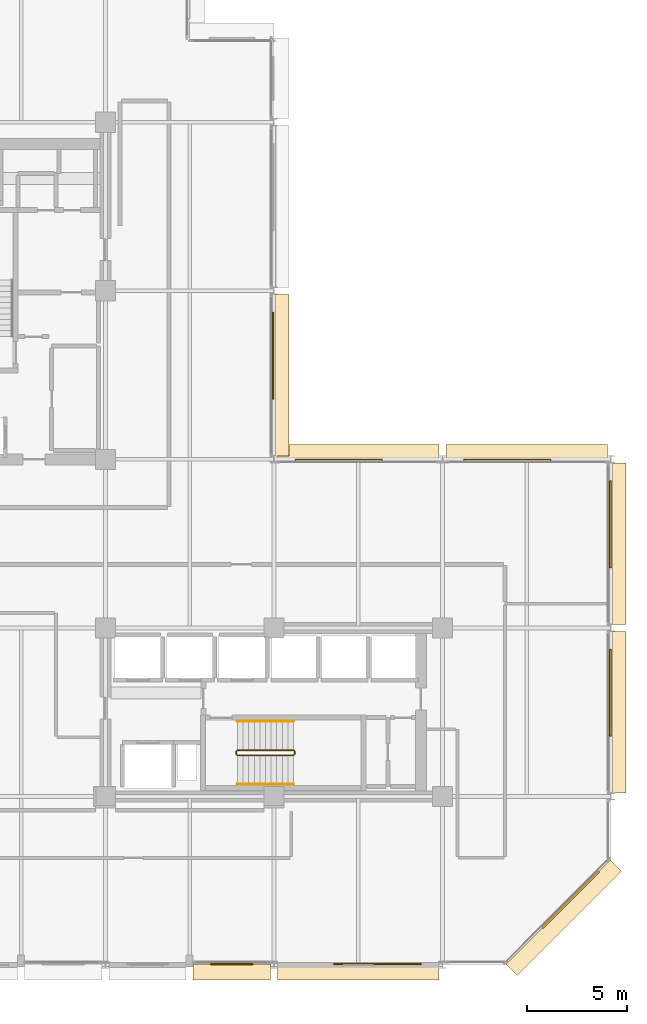
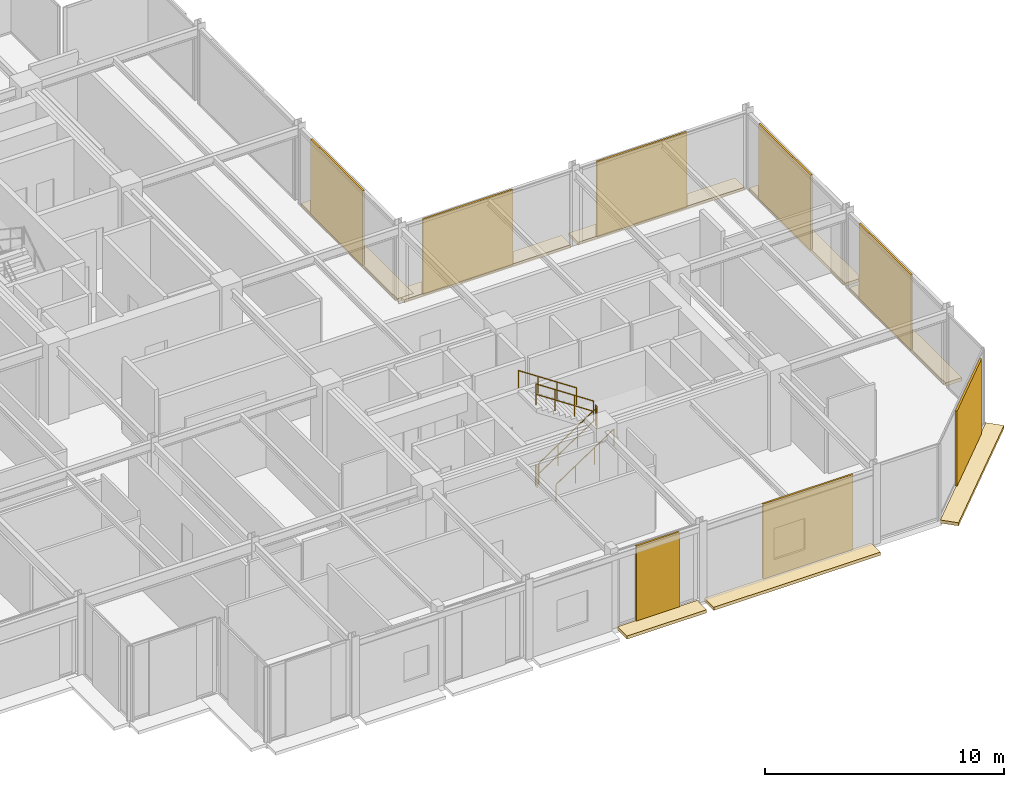
# One storey, part 28 of 29: 16 coverings, 6 railings.
"""IFC4 building model written with IfcOpenShell, lengths in metres."""

from ifc_helpers import new_model, si_unit, direction, frame, origin, origin_2d, place, context, subcontext, project, spatial, polyline, rectangle, circle, outline, extrude, material, layer, layer_set, type_object, element, save


model = new_model("IFC4")

# Units and contexts
model_context = context("Model", 3, precision=1e-05, world=origin(), true_north=direction((0.0, 1.0)))
body_context = subcontext(model_context, "Body", "Model", "MODEL_VIEW")
ifc_project = project(units=[si_unit("LENGTHUNIT", "METRE"), si_unit("AREAUNIT", "SQUARE_METRE"), si_unit("VOLUMEUNIT", "CUBIC_METRE"), si_unit("PLANEANGLEUNIT", "RADIAN"), si_unit("MASSUNIT", "GRAM", prefix="KILO")], contexts=[model_context])

# Site, building, storey
site_placement = place(None, origin())
site = spatial("IfcSite", under=ifc_project, at=site_placement, CompositionType="ELEMENT")
building_placement = place(site_placement, origin())
building = spatial("IfcBuilding", under=site, at=building_placement, Name="Nerrivon Quay Data Exchange", CompositionType="ELEMENT")
storey_placement = place(building_placement, frame((0.0, 0.0, 179.60009765625)))
storey = spatial("IfcBuildingStorey", under=building, at=storey_placement, Name="L42", CompositionType="ELEMENT", Elevation=179.60009765625)

# Coverings
ifc_material_1 = material(Name="Architectural terracotta ceramic", Category="masonry")
ifc_layer_1 = layer(ifc_material_1, 0.159912109375)
ifc_layer_set_1 = layer_set([ifc_layer_1], Name="Architectural terracotta ceramic")
covering_type_1 = type_object("IfcCoveringType", Name="COV-BLD-TERR", PredefinedType="CLADDING", material=ifc_layer_set_1)
covering_1_placement = place(storey_placement, frame((0.0, 0.0, -0.16015625)))
element("IfcCovering", 1, at=covering_1_placement, inside=storey, type_object=covering_type_1, Name="L42 Horizontal Terracotta SOLAR SCREEN Blade", PredefinedType="CLADDING", context=body_context, shape_type="SweptSolid", body=[
    extrude(outline(polyline([(25.159912109375, 33.425048828125), (25.159912109375, 25.375), (25.949951171875, 25.375), (25.949951171875, 33.425048828125), (25.159912109375, 33.425048828125)])), origin(), (0.0, 0.0, 1.0), 0.16015625),
])
covering_2_placement = place(storey_placement, frame((0.0, 0.0, -0.16015625)))
element("IfcCovering", 2, at=covering_2_placement, inside=storey, type_object=covering_type_1, Name="L42 Horizontal Terracotta SOLAR SCREEN Blade", PredefinedType="CLADDING", context=body_context, shape_type="SweptSolid", body=[
    extrude(outline(polyline([(25.375, 25.159912109375), (33.425048828125, 25.159912109375), (33.425048828125, 25.949951171875), (25.375, 25.949951171875), (25.375, 25.159912109375)])), origin(), (0.0, 0.0, 1.0), 0.16015625),
])
covering_3_placement = place(storey_placement, frame((0.0, 0.0, -0.16015625)))
element("IfcCovering", 3, at=covering_3_placement, inside=storey, type_object=covering_type_1, Name="L42 Horizontal Terracotta SOLAR SCREEN Blade", PredefinedType="CLADDING", context=body_context, shape_type="SweptSolid", body=[
    extrude(outline(polyline([(33.77490234375, 25.159912109375), (41.824951171875, 25.159912109375), (41.824951171875, 25.949951171875), (33.77490234375, 25.949951171875), (33.77490234375, 25.159912109375)])), origin(), (0.0, 0.0, 1.0), 0.16015625),
])
covering_4_placement = place(storey_placement, frame((0.0, 0.0, -0.16015625)))
element("IfcCovering", 4, at=covering_4_placement, inside=storey, type_object=covering_type_1, Name="L42 Horizontal Terracotta SOLAR SCREEN Blade", PredefinedType="CLADDING", context=body_context, shape_type="SweptSolid", body=[
    extrude(outline(polyline([(41.9599609375, 25.02490234375), (41.9599609375, 16.97509765625), (42.75, 16.97509765625), (42.75, 25.02490234375), (41.9599609375, 25.02490234375)])), origin(), (0.0, 0.0, 1.0), 0.16015625),
])
covering_5_placement = place(storey_placement, frame((0.0, 0.0, -0.16015625)))
element("IfcCovering", 5, at=covering_5_placement, inside=storey, type_object=covering_type_1, Name="L42 Horizontal Terracotta SOLAR SCREEN Blade", PredefinedType="CLADDING", context=body_context, shape_type="SweptSolid", body=[
    extrude(outline(polyline([(41.9599609375, 16.625), (41.9599609375, 8.574951171875), (42.75, 8.574951171875), (42.75, 16.625), (41.9599609375, 16.625)])), origin(), (0.0, 0.0, 1.0), 0.16015625),
])
covering_6_placement = place(storey_placement, frame((0.0, 0.0, -0.16015625)))
element("IfcCovering", 6, at=covering_6_placement, inside=storey, type_object=covering_type_1, Name="L42 Horizontal Terracotta SOLAR SCREEN Blade", PredefinedType="CLADDING", context=body_context, shape_type="SweptSolid", body=[
    extrude(outline(polyline([(41.9716796875, 5.228271484375), (36.771728515625, 0.0283203125), (37.330322265625, -0.5302734375), (42.5302734375, 4.669677734375), (41.9716796875, 5.228271484375)])), origin(), (0.0, 0.0, 1.0), 0.16015625),
])
covering_7_placement = place(storey_placement, frame((0.0, 0.0, -0.16015625)))
element("IfcCovering", 7, at=covering_7_placement, inside=storey, type_object=covering_type_1, Name="L42 Horizontal Terracotta SOLAR SCREEN Blade", PredefinedType="CLADDING", context=body_context, shape_type="SweptSolid", body=[
    extrude(outline(polyline([(33.425048828125, 0.0400390625), (25.375, 0.0400390625), (25.375, -0.75), (33.425048828125, -0.75), (33.425048828125, 0.0400390625)])), origin(), (0.0, 0.0, 1.0), 0.16015625),
])
covering_8_placement = place(storey_placement, frame((0.0, 0.0, -0.16015625)))
element("IfcCovering", 8, at=covering_8_placement, inside=storey, type_object=covering_type_1, Name="L42 Horizontal Terracotta SOLAR SCREEN Blade", PredefinedType="CLADDING", context=body_context, shape_type="SweptSolid", body=[
    extrude(outline(polyline([(25.02490234375, 0.0400390625), (21.175048828125, 0.0400390625), (21.175048828125, -0.75), (25.02490234375, -0.75), (25.02490234375, 0.0400390625)])), origin(), (0.0, 0.0, 1.0), 0.16015625),
])
ifc_layer_2 = layer(ifc_material_1, 0.090087890625)
ifc_layer_set_2 = layer_set([ifc_layer_2], Name="Architectural terracotta ceramic")
covering_type_2 = type_object("IfcCoveringType", Name="COV-SCR-TERR", PredefinedType="CLADDING", material=ifc_layer_set_2)
for number, where, z_axis, x_axis, name in (
    (9, (25.155029296875, 30.365966796875, 0.0), (0.0, 0.0, 1.0), (0.0, -1.0, 0.0), "L42 Perforated Terracotta SOLAR SCREEN Cassette"),
    (10, (28.43408203125, 25.155029296875, 0.0), (0.0, 0.0, 1.0), (1.0, 0.0, 0.0), "L42 Perforated Terracotta SOLAR SCREEN Cassette"),
    (11, (36.833984375, 25.155029296875, 0.0), (0.0, 0.0, 1.0), (1.0, 0.0, 0.0), "L42 Perforated Terracotta SOLAR SCREEN Cassette"),
    (12, (41.955078125, 21.966064453125, 0.0), (0.0, 0.0, 1.0), (0.0, -1.0, 0.0), "L42 Perforated Terracotta SOLAR SCREEN Cassette"),
    (13, (41.955078125, 13.56591796875, 0.0), (0.0, 0.0, 1.0), (0.0, -1.0, 0.0), "L42 Perforated Terracotta SOLAR SCREEN Cassette"),
):
    element("IfcCovering", number, at=place(storey_placement, frame(where, z_axis=z_axis, x_axis=x_axis)), inside=storey, type_object=covering_type_2, Name=name, PredefinedType="CLADDING", context=body_context, shape_type="SweptSolid", body=[
        extrude(rectangle(XDim=4.346923828125, YDim=0.090087890625, at=origin_2d()), origin(), (0.0, 0.0, 1.0), 3.824951171875),
    ])
covering_9_placement = place(storey_placement, frame((39.9921875, 3.255859375, 0.0), z_axis=(0.0, 0.0, 1.0), x_axis=(-0.707106781187, -0.707106781187, 0.0)))
element("IfcCovering", 14, at=covering_9_placement, inside=storey, type_object=covering_type_2, Name="L42 Perforated Terracotta SOLAR SCREEN Cassette", PredefinedType="CLADDING", context=body_context, shape_type="SweptSolid", body=[
    extrude(rectangle(XDim=3.970947265625, YDim=0.090087890625, at=origin_2d()), origin(), (0.0, 0.0, 1.0), 3.824951171875),
])
covering_10_placement = place(storey_placement, frame((30.365966796875, 0.044921875, 0.0), z_axis=(0.0, 0.0, 1.0), x_axis=(-1.0, 0.0, 0.0)))
element("IfcCovering", 15, at=covering_10_placement, inside=storey, type_object=covering_type_2, Name="L42 Perforated Terracotta SOLAR SCREEN Cassette", PredefinedType="CLADDING", context=body_context, shape_type="SweptSolid", body=[
    extrude(rectangle(XDim=4.346923828125, YDim=0.090087890625, at=origin_2d()), origin(), (0.0, 0.0, 1.0), 3.824951171875),
])
covering_11_placement = place(storey_placement, frame((23.10009765625, 0.044921875, 0.0), z_axis=(0.0, 0.0, 1.0), x_axis=(-1.0, 0.0, 0.0)))
element("IfcCovering", 16, at=covering_11_placement, inside=storey, type_object=covering_type_2, Name="L42 Perforated Terracotta SOLAR SCREEN Cassette", PredefinedType="CLADDING", context=body_context, shape_type="SweptSolid", body=[
    extrude(rectangle(XDim=2.0791015625, YDim=0.090087890625, at=origin_2d()), origin(), (0.0, 0.0, 1.0), 3.824951171875),
])

# Railings
ifc_material_2 = material(Name="Steel Grade C350L0 (350 MPa)", Category="steel")
railing_type_1 = type_object("IfcRailingType", Name="RAIL-HAND-HR1", PredefinedType="HANDRAIL", material=ifc_material_2)
railing_1_placement = place(storey_placement, frame((23.3798828125, 9.0, 0.186279296875)))
element("IfcRailing", 17, at=railing_1_placement, inside=storey, type_object=railing_type_1, Name="L42 ST02 stair handrail 1", PredefinedType="HANDRAIL", context=body_context, shape_type="SweptSolid", body=[
    extrude(circle(Radius=0.02392578125, at=origin_2d()), frame((0.0, 0.0, 0.8759765625), z_axis=(0.832485552168, 0.0, 0.554046753832), x_axis=(0.0, 1.0, 0.0)), (0.0, 0.0, 1.0), 3.363525390625),
    extrude(circle(Radius=0.02099609375, at=origin_2d()), origin(), (0.0, 0.0, 1.0), 0.851806640625),
    extrude(circle(Radius=0.02099609375, at=origin_2d()), frame((0.933349609375, 0.0, 0.62109375)), (0.0, 0.0, 1.0), 0.851806640625),
    extrude(circle(Radius=0.02099609375, at=origin_2d()), frame((1.86669921875, 0.0, 1.242431640625)), (0.0, 0.0, 1.0), 0.851806640625),
    extrude(circle(Radius=0.02099609375, at=origin_2d()), frame((2.800048828125, 0.0, 1.863525390625)), (0.0, 0.0, 1.0), 0.851806640625),
])
railing_2_placement = place(storey_placement, frame((26.179931640625, 12.14990234375, 2.236328125)))
element("IfcRailing", 18, at=railing_2_placement, inside=storey, type_object=railing_type_1, Name="L42 ST02 stair handrail 2", PredefinedType="HANDRAIL", context=body_context, shape_type="SweptSolid", body=[
    extrude(circle(Radius=0.02392578125, at=origin_2d()), frame((0.0, 0.0, 0.8759765625), z_axis=(-0.832485552168, 0.0, 0.554046753832), x_axis=(0.0, -1.0, 0.0)), (0.0, 0.0, 1.0), 3.363525390625),
    extrude(circle(Radius=0.02099609375, at=origin_2d()), origin(), (0.0, 0.0, 1.0), 0.851806640625),
    extrude(circle(Radius=0.02099609375, at=origin_2d()), frame((-0.933349609375, 0.0, 0.62109375)), (0.0, 0.0, 1.0), 0.851806640625),
    extrude(circle(Radius=0.02099609375, at=origin_2d()), frame((-1.86669921875, 0.0, 1.242431640625)), (0.0, 0.0, 1.0), 0.851806640625),
    extrude(circle(Radius=0.02099609375, at=origin_2d()), frame((-2.800048828125, 0.0, 1.863525390625)), (0.0, 0.0, 1.0), 0.851806640625),
])
railing_type_2 = type_object("IfcRailingType", Name="RAIL-STAIR-GR1", PredefinedType="BALUSTRADE", material=ifc_material_2)
railing_3_placement = place(storey_placement, frame((23.3798828125, 10.449951171875, 0.186279296875)))
element("IfcRailing", 19, at=railing_3_placement, inside=storey, type_object=railing_type_2, Name="L42 ST02 stair guard 1", PredefinedType="BALUSTRADE", context=body_context, shape_type="SweptSolid", body=[
    extrude(circle(Radius=0.02392578125, at=origin_2d()), frame((0.0, 0.0, 1.076171875), z_axis=(0.832485552168, 0.0, 0.554046753832), x_axis=(0.0, 1.0, 0.0)), (0.0, 0.0, 1.0), 3.363525390625),
    extrude(circle(Radius=0.02392578125, at=origin_2d()), frame((0.0, 0.0, 0.550048828125), z_axis=(0.832485552168, 0.0, 0.554046753832), x_axis=(0.0, 1.0, 0.0)), (0.0, 0.0, 1.0), 3.363525390625),
    extrude(circle(Radius=0.02099609375, at=origin_2d()), origin(), (0.0, 0.0, 1.0), 1.052001953125),
    extrude(circle(Radius=0.02099609375, at=origin_2d()), frame((0.933349609375, 0.0, 0.62109375)), (0.0, 0.0, 1.0), 1.052001953125),
    extrude(circle(Radius=0.02099609375, at=origin_2d()), frame((1.86669921875, 0.0, 1.242431640625)), (0.0, 0.0, 1.0), 1.052001953125),
    extrude(circle(Radius=0.02099609375, at=origin_2d()), frame((2.800048828125, 0.0, 1.863525390625)), (0.0, 0.0, 1.0), 1.052001953125),
])
railing_4_placement = place(storey_placement, frame((26.22998046875, 10.5, 2.0498046875)))
element("IfcRailing", 20, at=railing_4_placement, inside=storey, type_object=railing_type_2, Name="L42 ST02 stair guard 2", PredefinedType="BALUSTRADE", context=body_context, shape_type="SweptSolid", body=[
    extrude(circle(Radius=0.02392578125, at=origin_2d()), frame((0.0, 0.0, 1.076171875), z_axis=(0.0, 1.0, 0.0), x_axis=(-1.0, 0.0, 0.0)), (0.0, 0.0, 1.0), 0.14990234375),
    extrude(circle(Radius=0.02392578125, at=origin_2d()), frame((0.0, 0.0, 0.550048828125), z_axis=(0.0, 1.0, 0.0), x_axis=(-1.0, 0.0, 0.0)), (0.0, 0.0, 1.0), 0.14990234375),
    extrude(circle(Radius=0.02099609375, at=origin_2d()), origin(), (0.0, 0.0, 1.0), 1.052001953125),
    extrude(circle(Radius=0.02099609375, at=origin_2d()), frame((0.0, 0.14990234375, 0.0)), (0.0, 0.0, 1.0), 1.052001953125),
])
railing_5_placement = place(storey_placement, frame((26.179931640625, 10.699951171875, 2.236328125)))
element("IfcRailing", 21, at=railing_5_placement, inside=storey, type_object=railing_type_2, Name="L42 ST02 stair guard 3", PredefinedType="BALUSTRADE", context=body_context, shape_type="SweptSolid", body=[
    extrude(circle(Radius=0.02392578125, at=origin_2d()), frame((0.0, 0.0, 1.076171875), z_axis=(-0.832485552168, 0.0, 0.554046753832), x_axis=(0.0, -1.0, 0.0)), (0.0, 0.0, 1.0), 3.363525390625),
    extrude(circle(Radius=0.02392578125, at=origin_2d()), frame((0.0, 0.0, 0.550048828125), z_axis=(-0.832485552168, 0.0, 0.554046753832), x_axis=(0.0, -1.0, 0.0)), (0.0, 0.0, 1.0), 3.363525390625),
    extrude(circle(Radius=0.02099609375, at=origin_2d()), origin(), (0.0, 0.0, 1.0), 1.052001953125),
    extrude(circle(Radius=0.02099609375, at=origin_2d()), frame((-0.933349609375, 0.0, 0.62109375)), (0.0, 0.0, 1.0), 1.052001953125),
    extrude(circle(Radius=0.02099609375, at=origin_2d()), frame((-1.86669921875, 0.0, 1.242431640625)), (0.0, 0.0, 1.0), 1.052001953125),
    extrude(circle(Radius=0.02099609375, at=origin_2d()), frame((-2.800048828125, 0.0, 1.863525390625)), (0.0, 0.0, 1.0), 1.052001953125),
])
railing_6_placement = place(storey_placement, frame((23.330078125, 10.5, 0.0)))
element("IfcRailing", 22, at=railing_6_placement, inside=storey, type_object=railing_type_2, Name="L42 ST02 stair guard 4", PredefinedType="BALUSTRADE", context=body_context, shape_type="SweptSolid", body=[
    extrude(circle(Radius=0.02392578125, at=origin_2d()), frame((0.0, 0.0, 1.076171875), z_axis=(0.0, 1.0, 0.0), x_axis=(-1.0, 0.0, 0.0)), (0.0, 0.0, 1.0), 0.14990234375),
    extrude(circle(Radius=0.02392578125, at=origin_2d()), frame((0.0, 0.0, 0.550048828125), z_axis=(0.0, 1.0, 0.0), x_axis=(-1.0, 0.0, 0.0)), (0.0, 0.0, 1.0), 0.14990234375),
    extrude(circle(Radius=0.02099609375, at=origin_2d()), origin(), (0.0, 0.0, 1.0), 1.052001953125),
    extrude(circle(Radius=0.02099609375, at=origin_2d()), frame((0.0, 0.14990234375, 0.0)), (0.0, 0.0, 1.0), 1.052001953125),
])

save(model, "model.ifc")
